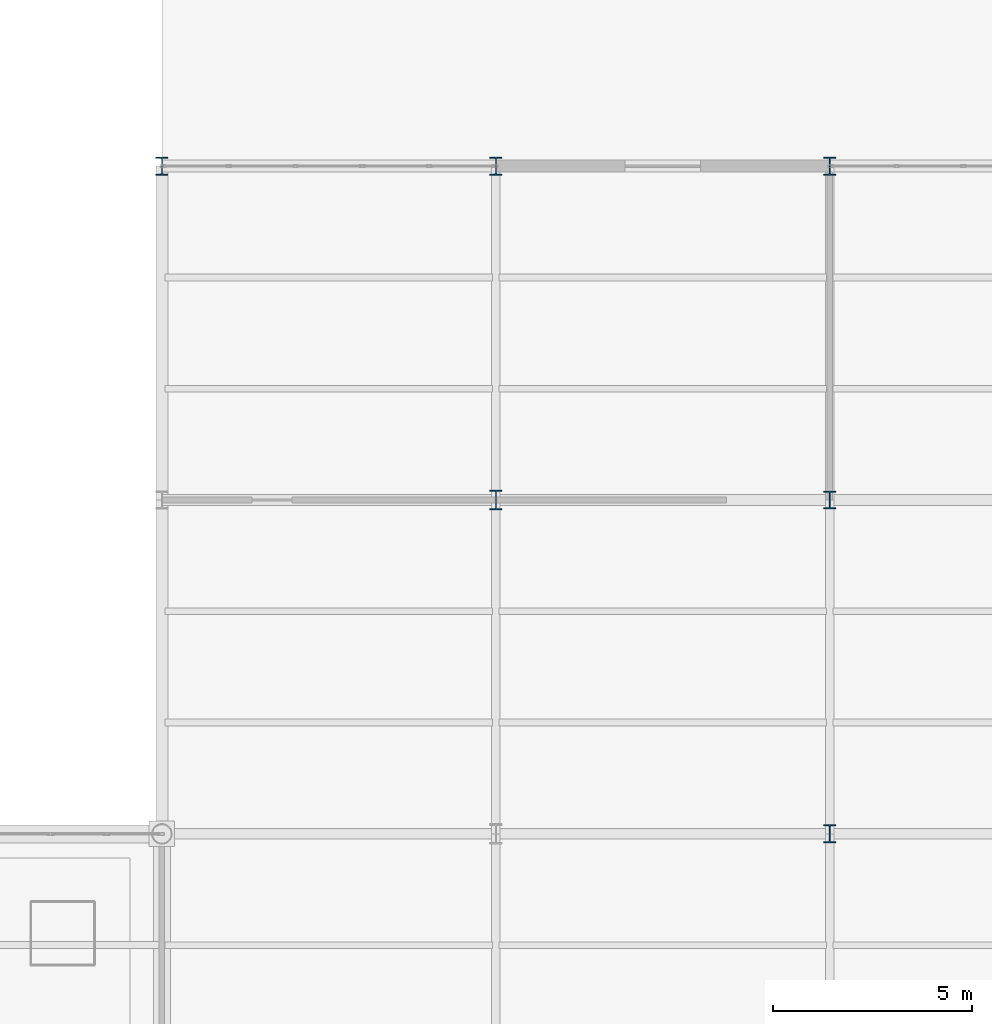
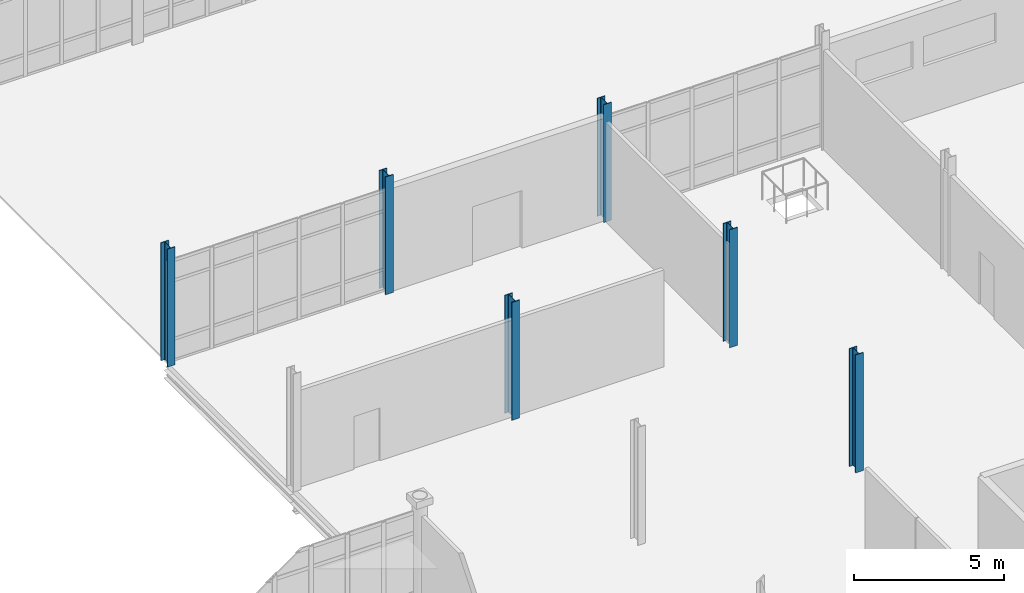
# One storey, part 10 of 145: 6 columns.
"""IFC4 building model written with IfcOpenShell, lengths in metres."""

from ifc_helpers import new_model, si_unit, direction, frame, origin, origin_2d, place, context, subcontext, project, spatial, i_section, extrude, material, material_profile, profile_set, type_object, element, save


model = new_model("IFC4")

# Units and contexts
model_context = context("Model", 3, precision=1e-05, world=origin(), true_north=direction((0.0, 1.0)))
body_context = subcontext(model_context, "Body", "Model", "MODEL_VIEW")
ifc_project = project(units=[si_unit("LENGTHUNIT", "METRE"), si_unit("AREAUNIT", "SQUARE_METRE"), si_unit("VOLUMEUNIT", "CUBIC_METRE"), si_unit("PLANEANGLEUNIT", "RADIAN"), si_unit("MASSUNIT", "GRAM", prefix="KILO")], contexts=[model_context])

# Site, building, storey
site_placement = place(None, origin())
site = spatial("IfcSite", under=ifc_project, at=site_placement, CompositionType="ELEMENT")
building_placement = place(site_placement, origin())
building = spatial("IfcBuilding", under=site, at=building_placement, Name="Qalvenar Corner Mobility Hub", CompositionType="ELEMENT")
storey_placement = place(building_placement, origin())
storey = spatial("IfcBuildingStorey", under=building, at=storey_placement, Name="L00", CompositionType="ELEMENT", Elevation=0.0)

# Columns
ifc_material = material(Name="Steel S355", Category="steel")
ifc_material_profile_1 = material_profile(ifc_material, i_section(OverallWidth=0.300048828125, OverallDepth=0.449951171875, WebThickness=0.013916015625, FlangeThickness=0.02587890625, FilletRadius=0.027099609375, at=origin_2d()), Name="HEB450")
ifc_profile_set_1 = profile_set([ifc_material_profile_1], Name="Steel S355")
column_type_1 = type_object("IfcColumnType", Name="COL-HEB450", PredefinedType="COLUMN", material=ifc_profile_set_1)
for number, where, z_axis, x_axis, name in (
    (1, (109.199951171875, 50.39990234375, 0.0), (0.0, 0.0, 1.0), (1.0, 0.0, 0.0), "Steel Column L00-G14-6"),
    (2, (117.60009765625, 50.39990234375, 0.0), (0.0, 0.0, 1.0), (1.0, 0.0, 0.0), "Steel Column L00-G15-6"),
    (3, (126.0, 33.60009765625, 0.0), (0.0, 0.0, 1.0), (1.0, 0.0, 0.0), "Steel Column L00-G16-4"),
    (4, (126.0, 42.0, 0.0), (0.0, 0.0, 1.0), (1.0, 0.0, 0.0), "Steel Column L00-G16-5"),
    (5, (126.0, 50.39990234375, 0.0), (0.0, 0.0, 1.0), (1.0, 0.0, 0.0), "Steel Column L00-G16-6"),
):
    element("IfcColumn", number, at=place(storey_placement, frame(where, z_axis=z_axis, x_axis=x_axis)), inside=storey, type_object=column_type_1, Name=name, PredefinedType="COLUMN", context=body_context, shape_type="SweptSolid", body=[
        extrude(i_section(OverallWidth=0.300048828125, OverallDepth=0.449951171875, WebThickness=0.013916015625, FlangeThickness=0.02587890625, FilletRadius=0.027099609375, at=origin_2d()), origin(), (0.0, 0.0, 1.0), 4.800048828125),
    ])
ifc_material_profile_2 = material_profile(ifc_material, i_section(OverallWidth=0.300048828125, OverallDepth=0.5, WebThickness=0.014404296875, FlangeThickness=0.028076171875, FilletRadius=0.027099609375, at=origin_2d()), Name="HEB500")
ifc_profile_set_2 = profile_set([ifc_material_profile_2], Name="Steel S355")
column_type_2 = type_object("IfcColumnType", Name="COL-HEB500", PredefinedType="COLUMN", material=ifc_profile_set_2)
column_placement = place(storey_placement, frame((117.60009765625, 42.0, 0.0), z_axis=(0.0, 0.0, 1.0), x_axis=(1.0, 0.0, 0.0)))
element("IfcColumn", 6, at=column_placement, inside=storey, type_object=column_type_2, Name="Steel Column L00-G15-5", PredefinedType="COLUMN", context=body_context, shape_type="SweptSolid", body=[
    extrude(i_section(OverallWidth=0.300048828125, OverallDepth=0.5, WebThickness=0.014404296875, FlangeThickness=0.028076171875, FilletRadius=0.027099609375, at=origin_2d()), origin(), (0.0, 0.0, 1.0), 4.800048828125),
])

save(model, "model.ifc")
